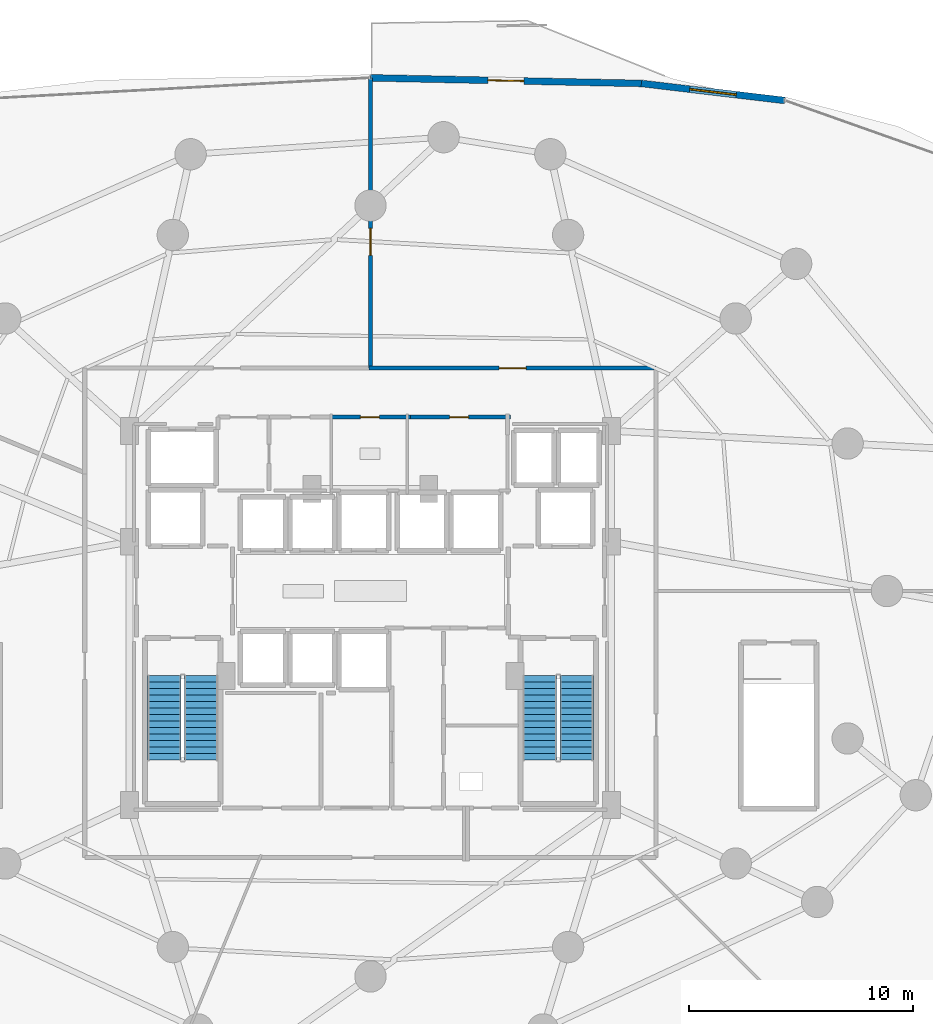
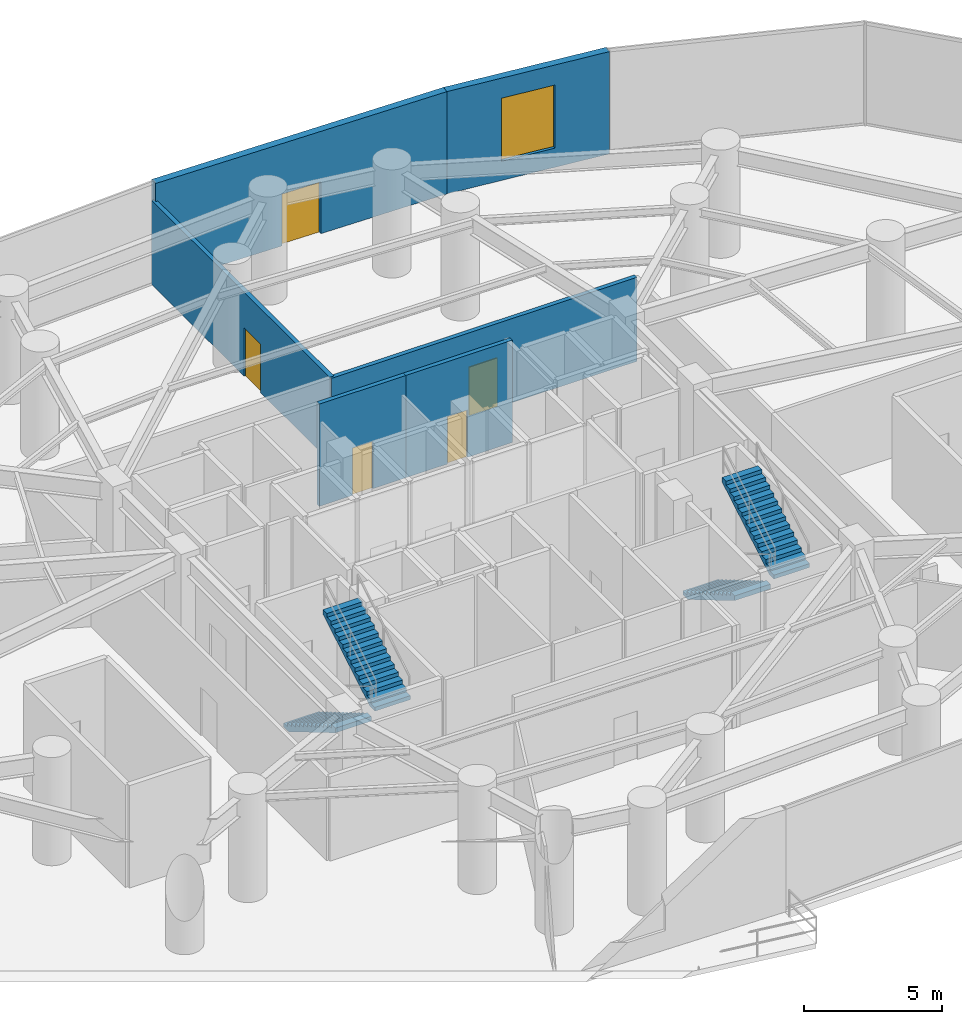
# One storey, part 29 of 32: 6 walls, 5 doors, 4 stair flights, 1 window, 6 openings, 2 elements without a shape of their own.
"""IFC4 building model written with IfcOpenShell, lengths in metres."""

from ifc_helpers import new_model, si_unit, direction, frame, frame_2d, origin, place, context, subcontext, project, spatial, polyline, rectangle, outline, extrude, material, layer, layer_set, type_object, element, fill, aggregate, save


model = new_model("IFC4")

# Units and contexts
model_context = context("Model", 3, precision=1e-05, world=origin(), true_north=direction((0.0, 1.0)))
body_context = subcontext(model_context, "Body", "Model", "MODEL_VIEW")
ifc_project = project(units=[si_unit("LENGTHUNIT", "METRE"), si_unit("AREAUNIT", "SQUARE_METRE"), si_unit("VOLUMEUNIT", "CUBIC_METRE"), si_unit("PLANEANGLEUNIT", "RADIAN"), si_unit("MASSUNIT", "GRAM", prefix="KILO")], contexts=[model_context])

# Site, building, storey
site_placement = place(None, origin())
site = spatial("IfcSite", under=ifc_project, at=site_placement, CompositionType="ELEMENT")
building_placement = place(site_placement, origin())
building = spatial("IfcBuilding", under=site, at=building_placement, Name="Vorneva Point Tower", CompositionType="ELEMENT")
storey_placement = place(building_placement, frame((0.0, 0.0, 19.199951171875)))
storey = spatial("IfcBuildingStorey", under=building, at=storey_placement, Name="L04", CompositionType="ELEMENT", Elevation=19.199951171875)

# Wall, opening, window
ifc_material_1 = material(Name="Precast concrete B50 (C40/50)", Category="concrete")
ifc_layer_1 = layer(ifc_material_1, 0.300048828125)
ifc_layer_set_1 = layer_set([ifc_layer_1], Name="Precast concrete B50 (C40/50)")
wall_type_1 = type_object("IfcWallType", Name="WL-EXT-300", PredefinedType="STANDARD", material=ifc_layer_set_1)
wall_1_placement = place(storey_placement, frame((56.482421875, 47.892822265625, 0.0), z_axis=(0.0, 0.0, 1.0), x_axis=(-0.993026809301, 0.117888744206, 0.0)))
wall_1 = element("IfcWall", 1, at=wall_1_placement, inside=storey, type_object=wall_type_1, Name="L04 Pale-Metal Facade Spandrel Wall 04.1", PredefinedType="STANDARD", context=body_context, shape_type="SweptSolid", body=[
    extrude(rectangle(XDim=6.4365234375, YDim=0.300048828125, at=frame_2d((3.21826171875, 0.0))), origin(), (0.0, 0.0, 1.0), 4.5400390625),
])
opening_1_placement = place(wall_1_placement, frame((2.168212890625, 0.0, 0.85009765625)))
opening_1 = element("IfcOpeningElement", 2, at=opening_1_placement, cuts=wall_1, Name="Opening W-05", PredefinedType="OPENING", context=body_context, shape_type="SweptSolid", body=[
    extrude(rectangle(XDim=2.10009765625, YDim=2.800048828125, at=frame_2d((1.050048828125, 1.39990234375))), frame((0.0, 0.1650390625, 0.0), z_axis=(0.0, -1.0, 0.0), x_axis=(1.0, 0.0, 0.0)), (0.0, 0.0, 1.0), 0.329833984375),
])
ifc_material_2 = material(Name="Double low-e laminated glass IGU", Category="glass")
window_type = type_object("IfcWindowType", Name="WN-POD-2100", PartitioningType="SINGLE_PANEL", PredefinedType="WINDOW", material=ifc_material_2)
window_placement = place(opening_1_placement, origin())
window = element("IfcWindow", 3, at=window_placement, inside=storey, type_object=window_type, Name="L04 Facade Window 04", OverallHeight=2.800048828125, OverallWidth=2.10009765625, PartitioningType="SINGLE_PANEL", PredefinedType="WINDOW", context=body_context, shape_type="SweptSolid", body=[
    extrude(rectangle(XDim=2.10009765625, YDim=2.800048828125, at=frame_2d((1.050048828125, 1.39990234375))), frame((0.0, 0.030029296875, 0.0), z_axis=(0.0, -1.0, 0.0), x_axis=(1.0, 0.0, 0.0)), (0.0, 0.0, 1.0), 0.06005859375),
])
fill(opening_1, window)

# Wall, opening, door
wall_2_placement = place(storey_placement, frame((50.0908203125, 48.651611328125, 0.0), z_axis=(0.0, 0.0, 1.0), x_axis=(-0.99978671963, 0.020652245662, 0.0)))
wall_2 = element("IfcWall", 4, at=wall_2_placement, inside=storey, type_object=wall_type_1, Name="L04 Pale-Metal Facade Spandrel Wall 04.2", PredefinedType="STANDARD", context=body_context, shape_type="SweptSolid", body=[
    extrude(rectangle(XDim=12.093505859375, YDim=0.300048828125, at=frame_2d((6.046875, 0.0))), origin(), (0.0, 0.0, 1.0), 4.5400390625),
])
opening_2_placement = place(wall_2_placement, frame((5.24658203125, 0.0, 0.0)))
opening_2 = element("IfcOpeningElement", 5, at=opening_2_placement, cuts=wall_2, Name="Opening BD-01", PredefinedType="OPENING", context=body_context, shape_type="SweptSolid", body=[
    extrude(rectangle(XDim=1.60009765625, YDim=2.300048828125, at=frame_2d((0.800048828125, 1.14990234375))), frame((0.0, 0.1650390625, 0.0), z_axis=(0.0, -1.0, 0.0), x_axis=(1.0, 0.0, 0.0)), (0.0, 0.0, 1.0), 0.329833984375),
])
ifc_material_3 = material(Name="Pale anodised aluminium", Category="aluminium")
door_type_1 = type_object("IfcDoorType", Name="DR-BAL-1600", OperationType="SLIDING_TO_LEFT", PredefinedType="DOOR", material=ifc_material_3)
door_1_placement = place(opening_2_placement, origin())
door_1 = element("IfcDoor", 6, at=door_1_placement, inside=storey, type_object=door_type_1, Name="L04 Balcony Terrace Access Door 04", OperationType="SLIDING_TO_LEFT", OverallHeight=2.300048828125, OverallWidth=1.60009765625, PredefinedType="DOOR", context=body_context, shape_type="SweptSolid", body=[
    extrude(rectangle(XDim=1.60009765625, YDim=2.300048828125, at=frame_2d((0.800048828125, 1.14990234375))), frame((0.0, 0.02490234375, 0.0), z_axis=(0.0, -1.0, 0.0), x_axis=(1.0, 0.0, 0.0)), (0.0, 0.0, 1.0), 0.050048828125),
])
fill(opening_2, door_1)

ifc_material_4 = material(Name="Autoclaved aerated concrete blockwork", Category="masonry")
ifc_layer_2 = layer(ifc_material_4, 0.179931640625)
ifc_layer_set_2 = layer_set([ifc_layer_2], Name="Autoclaved aerated concrete blockwork")
wall_type_2 = type_object("IfcWallType", Name="WL-PART-180", PredefinedType="PARTITIONING", material=ifc_layer_set_2)
wall_3_placement = place(storey_placement, frame((39.7900390625, 33.760009765625, 0.0), z_axis=(0.0, 0.0, 1.0), x_axis=(-1.0, 0.0, 0.0)))
wall_3 = element("IfcWall", 7, at=wall_3_placement, inside=storey, type_object=wall_type_2, Name="L04 Interior Partition 020", PredefinedType="PARTITIONING", context=body_context, shape_type="SweptSolid", body=[
    extrude(rectangle(XDim=3.630126953125, YDim=0.179931640625, at=frame_2d((1.81494140625, 0.0))), origin(), (0.0, 0.0, 1.0), 4.5400390625),
])
opening_3_placement = place(wall_3_placement, frame((1.389892578125, 0.0, 0.0)))
opening_3 = element("IfcOpeningElement", 8, at=opening_3_placement, cuts=wall_3, Name="Opening ID-02", PredefinedType="OPENING", context=body_context, shape_type="SweptSolid", body=[
    extrude(rectangle(XDim=0.85009765625, YDim=2.10009765625, at=frame_2d((0.425048828125, 1.050048828125))), frame((0.0, 0.10498046875, 0.0), z_axis=(0.0, -1.0, 0.0), x_axis=(1.0, 0.0, 0.0)), (0.0, 0.0, 1.0), 0.209716796875),
])
ifc_material_5 = material(Name="Engineered oak fire-rated door leaf", Category="wood")
door_type_2 = type_object("IfcDoorType", Name="DR-BATH-850", OperationType="NOTDEFINED", PredefinedType="DOOR", material=ifc_material_5)
door_2_placement = place(opening_3_placement, origin())
door_2 = element("IfcDoor", 9, at=door_2_placement, inside=storey, type_object=door_type_2, Name="L04 Door Accessible WC / L04 Circulation Corridor", OperationType="SINGLE_SWING_RIGHT", OverallHeight=2.10009765625, OverallWidth=0.85009765625, PredefinedType="DOOR", context=body_context, shape_type="SweptSolid", body=[
    extrude(rectangle(XDim=0.85009765625, YDim=2.10009765625, at=frame_2d((0.425048828125, 1.050048828125))), frame((0.0, 0.02490234375, 0.0), z_axis=(0.0, -1.0, 0.0), x_axis=(1.0, 0.0, 0.0)), (0.0, 0.0, 1.0), 0.050048828125),
])
fill(opening_3, door_2)

wall_4_placement = place(storey_placement, frame((44.260009765625, 33.760009765625, 0.0), z_axis=(0.0, 0.0, 1.0), x_axis=(-1.0, 0.0, 0.0)))
wall_4 = element("IfcWall", 10, at=wall_4_placement, inside=storey, type_object=wall_type_2, Name="L04 Interior Partition 021", PredefinedType="PARTITIONING", context=body_context, shape_type="SweptSolid", body=[
    extrude(rectangle(XDim=4.610107421875, YDim=0.179931640625, at=frame_2d((2.30517578125, 0.0))), origin(), (0.0, 0.0, 1.0), 4.5400390625),
])
opening_4_placement = place(wall_4_placement, frame((1.8798828125, 0.0, 0.0)))
opening_4 = element("IfcOpeningElement", 11, at=opening_4_placement, cuts=wall_4, Name="Opening ID-02", PredefinedType="OPENING", context=body_context, shape_type="SweptSolid", body=[
    extrude(rectangle(XDim=0.85009765625, YDim=2.10009765625, at=frame_2d((0.425048828125, 1.050048828125))), frame((0.0, 0.10498046875, 0.0), z_axis=(0.0, -1.0, 0.0), x_axis=(1.0, 0.0, 0.0)), (0.0, 0.0, 1.0), 0.209716796875),
])
door_3_placement = place(opening_4_placement, origin())
door_3 = element("IfcDoor", 12, at=door_3_placement, inside=storey, type_object=door_type_2, Name="L04 Door Public WC / L04 Circulation Corridor", OperationType="SINGLE_SWING_LEFT", OverallHeight=2.10009765625, OverallWidth=0.85009765625, PredefinedType="DOOR", context=body_context, shape_type="SweptSolid", body=[
    extrude(rectangle(XDim=0.85009765625, YDim=2.10009765625, at=frame_2d((0.425048828125, 1.050048828125))), frame((0.0, 0.02490234375, 0.0), z_axis=(0.0, -1.0, 0.0), x_axis=(1.0, 0.0, 0.0)), (0.0, 0.0, 1.0), 0.050048828125),
])
fill(opening_4, door_3)

wall_5_placement = place(storey_placement, frame((50.75, 35.949951171875, 0.0), z_axis=(0.0, 0.0, 1.0), x_axis=(-1.0, 0.0, 0.0)))
wall_5 = element("IfcWall", 13, at=wall_5_placement, inside=storey, type_object=wall_type_2, Name="L04 Interior Partition 027", PredefinedType="PARTITIONING", context=body_context, shape_type="SweptSolid", body=[
    extrude(rectangle(XDim=12.81005859375, YDim=0.179931640625, at=frame_2d((6.405029296875, 0.0))), origin(), (0.0, 0.0, 1.0), 3.73193359375),
])
opening_5_placement = place(wall_5_placement, frame((5.804931640625, 0.0, 0.0)))
opening_5 = element("IfcOpeningElement", 14, at=opening_5_placement, cuts=wall_5, Name="Opening FD-02", PredefinedType="OPENING", context=body_context, shape_type="SweptSolid", body=[
    extrude(rectangle(XDim=1.199951171875, YDim=2.14990234375, at=frame_2d((0.60009765625, 1.074951171875))), frame((0.0, 0.10498046875, 0.0), z_axis=(0.0, -1.0, 0.0), x_axis=(1.0, 0.0, 0.0)), (0.0, 0.0, 1.0), 0.209716796875),
])
ifc_material_6 = material(Name="Fire-rated powder-coated steel", Category="steel")
door_type_3 = type_object("IfcDoorType", Name="DR-FFL-1200", OperationType="NOTDEFINED", PredefinedType="DOOR", material=ifc_material_6)
door_4_placement = place(opening_5_placement, origin())
door_4 = element("IfcDoor", 15, at=door_4_placement, inside=storey, type_object=door_type_3, Name="L04 Door L04 Circulation Corridor / Grand Ballroom L04", OperationType="SINGLE_SWING_RIGHT", OverallHeight=2.14990234375, OverallWidth=1.199951171875, PredefinedType="DOOR", context=body_context, shape_type="SweptSolid", body=[
    extrude(rectangle(XDim=1.199951171875, YDim=2.14990234375, at=frame_2d((0.60009765625, 1.074951171875))), frame((0.0, 0.02490234375, 0.0), z_axis=(0.0, -1.0, 0.0), x_axis=(1.0, 0.0, 0.0)), (0.0, 0.0, 1.0), 0.050048828125),
])
fill(opening_5, door_4)

wall_6_placement = place(storey_placement, frame((38.0, 48.89892578125, 0.0), z_axis=(0.0, 0.0, 1.0), x_axis=(0.0, -1.0, 0.0)))
wall_6 = element("IfcWall", 16, at=wall_6_placement, inside=storey, type_object=wall_type_2, Name="L04 Interior Partition 038", PredefinedType="PARTITIONING", context=body_context, shape_type="SweptSolid", body=[
    extrude(rectangle(XDim=12.948974609375, YDim=0.179931640625, at=frame_2d((6.474609375, 0.0))), origin(), (0.0, 0.0, 1.0), 3.73193359375),
])
opening_6_placement = place(wall_6_placement, frame((6.714599609375, 0.0, 0.0)))
opening_6 = element("IfcOpeningElement", 17, at=opening_6_placement, cuts=wall_6, Name="Opening FD-02", PredefinedType="OPENING", context=body_context, shape_type="SweptSolid", body=[
    extrude(rectangle(XDim=1.199951171875, YDim=2.14990234375, at=frame_2d((0.60009765625, 1.074951171875))), frame((0.0, 0.10498046875, 0.0), z_axis=(0.0, -1.0, 0.0), x_axis=(1.0, 0.0, 0.0)), (0.0, 0.0, 1.0), 0.209716796875),
])
door_5_placement = place(opening_6_placement, origin())
door_5 = element("IfcDoor", 18, at=door_5_placement, inside=storey, type_object=door_type_3, Name="L04 Door Grand Ballroom L04 / Pre-Function Foyer L04", OperationType="SINGLE_SWING_RIGHT", OverallHeight=2.14990234375, OverallWidth=1.199951171875, PredefinedType="DOOR", context=body_context, shape_type="SweptSolid", body=[
    extrude(rectangle(XDim=1.199951171875, YDim=2.14990234375, at=frame_2d((0.60009765625, 1.074951171875))), frame((0.0, 0.02490234375, 0.0), z_axis=(0.0, -1.0, 0.0), x_axis=(1.0, 0.0, 0.0)), (0.0, 0.0, 1.0), 0.050048828125),
])
fill(opening_6, door_5)

# Stair, stair flights
ifc_material_7 = material(Name="Concrete B50 (C40/50)", Category="concrete")
stair_type = type_object("IfcStairType", Name="ST-DOG-1500", PredefinedType="HALF_TURN_STAIR", material=ifc_material_7)
stair_1_placement = place(storey_placement, origin())
stair_1 = element("IfcStair", 19, at=stair_1_placement, inside=storey, type_object=stair_type, Name="L04 ST1", PredefinedType="HALF_TURN_STAIR")
stair_flight_type = type_object("IfcStairFlightType", Name="STF-1500", PredefinedType="STRAIGHT", material=ifc_material_7)
stair_flight_1_placement = place(storey_placement, frame((28.800048828125, 22.219970703125, 0.0), z_axis=(0.0, 0.0, 1.0), x_axis=(0.0, -1.0, 0.0)))
stair_flight_1 = element("IfcStairFlight", 20, at=stair_flight_1_placement, type_object=stair_flight_type, Name="ST1 flight 1", NumberOfRisers=14, NumberOfTreads=13, PredefinedType="STRAIGHT", RiserHeight=0.171428571, TreadLength=0.29, context=body_context, shape_type="SweptSolid", body=[
    extrude(outline(polyline([(0.0, 0.0), (0.0, 0.17138671875), (0.2900390625, 0.17138671875), (0.2900390625, 0.3427734375), (0.580078125, 0.3427734375), (0.580078125, 0.514404296875), (0.8701171875, 0.514404296875), (0.8701171875, 0.685791015625), (1.159912109375, 0.685791015625), (1.159912109375, 0.857177734375), (1.449951171875, 0.857177734375), (1.449951171875, 1.028564453125), (1.739990234375, 1.028564453125), (1.739990234375, 1.199951171875), (2.030029296875, 1.199951171875), (2.030029296875, 1.371337890625), (2.320068359375, 1.371337890625), (2.320068359375, 1.54296875), (2.610107421875, 1.54296875), (2.610107421875, 1.71435546875), (2.89990234375, 1.71435546875), (2.89990234375, 1.8857421875), (3.18994140625, 1.8857421875), (3.18994140625, 2.05712890625), (3.47998046875, 2.05712890625), (3.47998046875, 2.228515625), (3.77001953125, 2.228515625), (3.77001953125, 2.39990234375), (3.77001953125, 2.01953125), (0.353515625, 0.0), (0.0, 0.0)])), frame((0.0, 0.75, 0.0), z_axis=(0.0, -1.0, 0.0), x_axis=(1.0, 0.0, 0.0)), (0.0, 0.0, 1.0), 1.5),
])
stair_flight_2_placement = place(storey_placement, frame((30.449951171875, 18.449951171875, 2.400146484375), z_axis=(0.0, 0.0, 1.0), x_axis=(0.0, 1.0, 0.0)))
stair_flight_2 = element("IfcStairFlight", 21, at=stair_flight_2_placement, type_object=stair_flight_type, Name="ST1 flight 2", NumberOfRisers=14, NumberOfTreads=13, PredefinedType="STRAIGHT", RiserHeight=0.171428571, TreadLength=0.29, context=body_context, shape_type="SweptSolid", body=[
    extrude(outline(polyline([(0.0, 0.0), (0.0, 0.17138671875), (0.2900390625, 0.17138671875), (0.2900390625, 0.3427734375), (0.580078125, 0.3427734375), (0.580078125, 0.514404296875), (0.8701171875, 0.514404296875), (0.8701171875, 0.685791015625), (1.159912109375, 0.685791015625), (1.159912109375, 0.857177734375), (1.449951171875, 0.857177734375), (1.449951171875, 1.028564453125), (1.739990234375, 1.028564453125), (1.739990234375, 1.199951171875), (2.030029296875, 1.199951171875), (2.030029296875, 1.371337890625), (2.320068359375, 1.371337890625), (2.320068359375, 1.54296875), (2.610107421875, 1.54296875), (2.610107421875, 1.71435546875), (2.89990234375, 1.71435546875), (2.89990234375, 1.8857421875), (3.18994140625, 1.8857421875), (3.18994140625, 2.05712890625), (3.47998046875, 2.05712890625), (3.47998046875, 2.228515625), (3.77001953125, 2.228515625), (3.77001953125, 2.39990234375), (3.77001953125, 2.01953125), (0.353515625, 0.0), (0.0, 0.0)])), frame((0.0, 0.75, 0.0), z_axis=(0.0, -1.0, 0.0), x_axis=(1.0, 0.0, 0.0)), (0.0, 0.0, 1.0), 1.5),
])
aggregate(stair_1, [stair_flight_1, stair_flight_2])

stair_2_placement = place(storey_placement, origin())
stair_2 = element("IfcStair", 22, at=stair_2_placement, inside=storey, type_object=stair_type, Name="L04 ST2", PredefinedType="HALF_TURN_STAIR")
stair_flight_3_placement = place(storey_placement, frame((45.550048828125, 22.219970703125, 0.0), z_axis=(0.0, 0.0, 1.0), x_axis=(0.0, -1.0, 0.0)))
stair_flight_3 = element("IfcStairFlight", 23, at=stair_flight_3_placement, type_object=stair_flight_type, Name="ST2 flight 1", NumberOfRisers=14, NumberOfTreads=13, PredefinedType="STRAIGHT", RiserHeight=0.171428571, TreadLength=0.29, context=body_context, shape_type="SweptSolid", body=[
    extrude(outline(polyline([(0.0, 0.0), (0.0, 0.17138671875), (0.2900390625, 0.17138671875), (0.2900390625, 0.3427734375), (0.580078125, 0.3427734375), (0.580078125, 0.514404296875), (0.8701171875, 0.514404296875), (0.8701171875, 0.685791015625), (1.159912109375, 0.685791015625), (1.159912109375, 0.857177734375), (1.449951171875, 0.857177734375), (1.449951171875, 1.028564453125), (1.739990234375, 1.028564453125), (1.739990234375, 1.199951171875), (2.030029296875, 1.199951171875), (2.030029296875, 1.371337890625), (2.320068359375, 1.371337890625), (2.320068359375, 1.54296875), (2.610107421875, 1.54296875), (2.610107421875, 1.71435546875), (2.89990234375, 1.71435546875), (2.89990234375, 1.8857421875), (3.18994140625, 1.8857421875), (3.18994140625, 2.05712890625), (3.47998046875, 2.05712890625), (3.47998046875, 2.228515625), (3.77001953125, 2.228515625), (3.77001953125, 2.39990234375), (3.77001953125, 2.01953125), (0.353515625, 0.0), (0.0, 0.0)])), frame((0.0, 0.75, 0.0), z_axis=(0.0, -1.0, 0.0), x_axis=(1.0, 0.0, 0.0)), (0.0, 0.0, 1.0), 1.5),
])
stair_flight_4_placement = place(storey_placement, frame((47.199951171875, 18.449951171875, 2.400146484375), z_axis=(0.0, 0.0, 1.0), x_axis=(0.0, 1.0, 0.0)))
stair_flight_4 = element("IfcStairFlight", 24, at=stair_flight_4_placement, type_object=stair_flight_type, Name="ST2 flight 2", NumberOfRisers=14, NumberOfTreads=13, PredefinedType="STRAIGHT", RiserHeight=0.171428571, TreadLength=0.29, context=body_context, shape_type="SweptSolid", body=[
    extrude(outline(polyline([(0.0, 0.0), (0.0, 0.17138671875), (0.2900390625, 0.17138671875), (0.2900390625, 0.3427734375), (0.580078125, 0.3427734375), (0.580078125, 0.514404296875), (0.8701171875, 0.514404296875), (0.8701171875, 0.685791015625), (1.159912109375, 0.685791015625), (1.159912109375, 0.857177734375), (1.449951171875, 0.857177734375), (1.449951171875, 1.028564453125), (1.739990234375, 1.028564453125), (1.739990234375, 1.199951171875), (2.030029296875, 1.199951171875), (2.030029296875, 1.371337890625), (2.320068359375, 1.371337890625), (2.320068359375, 1.54296875), (2.610107421875, 1.54296875), (2.610107421875, 1.71435546875), (2.89990234375, 1.71435546875), (2.89990234375, 1.8857421875), (3.18994140625, 1.8857421875), (3.18994140625, 2.05712890625), (3.47998046875, 2.05712890625), (3.47998046875, 2.228515625), (3.77001953125, 2.228515625), (3.77001953125, 2.39990234375), (3.77001953125, 2.01953125), (0.353515625, 0.0), (0.0, 0.0)])), frame((0.0, 0.75, 0.0), z_axis=(0.0, -1.0, 0.0), x_axis=(1.0, 0.0, 0.0)), (0.0, 0.0, 1.0), 1.5),
])
aggregate(stair_2, [stair_flight_3, stair_flight_4])

save(model, "model.ifc")
